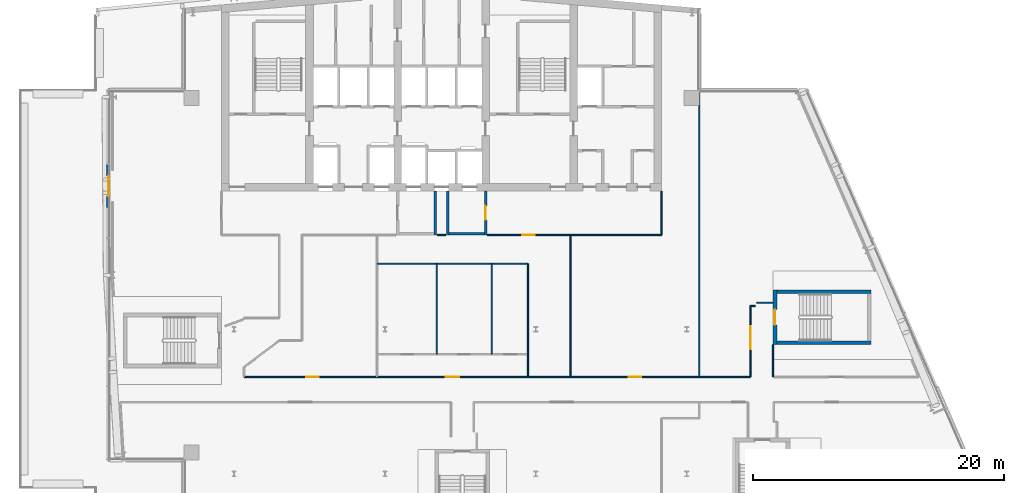
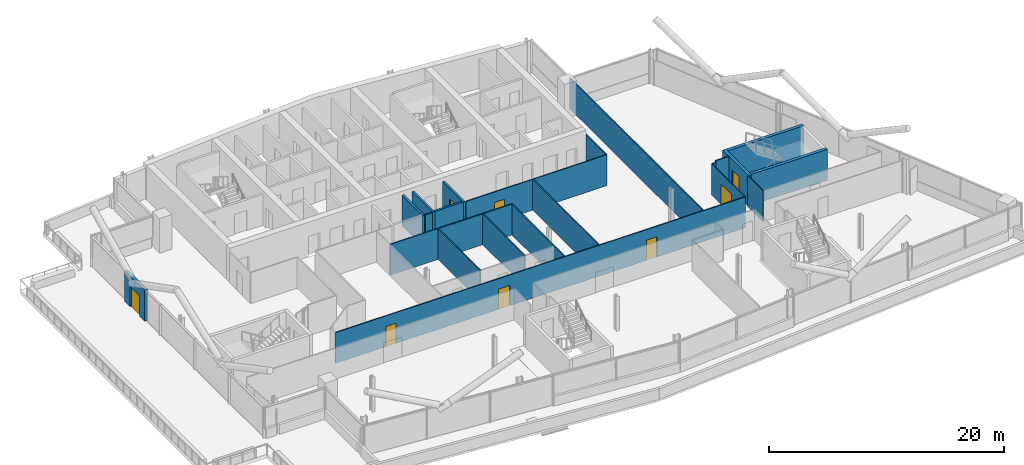
# One storey, part 15 of 27: 22 walls, 8 doors, 8 openings.
"""IFC4 building model written with IfcOpenShell, lengths in metres."""

from ifc_helpers import new_model, si_unit, direction, frame, frame_2d, origin, place, context, subcontext, project, spatial, rectangle, extrude, material, layer, layer_set, type_object, element, fill, save


model = new_model("IFC4")

# Units and contexts
model_context = context("Model", 3, precision=1e-05, world=origin(), true_north=direction((0.0, 1.0)))
body_context = subcontext(model_context, "Body", "Model", "MODEL_VIEW")
ifc_project = project(units=[si_unit("LENGTHUNIT", "METRE"), si_unit("AREAUNIT", "SQUARE_METRE"), si_unit("VOLUMEUNIT", "CUBIC_METRE"), si_unit("PLANEANGLEUNIT", "RADIAN"), si_unit("MASSUNIT", "GRAM", prefix="KILO")], contexts=[model_context])

# Site, building, storey
site_placement = place(None, origin())
site = spatial("IfcSite", under=ifc_project, at=site_placement, CompositionType="ELEMENT")
building_placement = place(site_placement, origin())
building = spatial("IfcBuilding", under=site, at=building_placement, Name="Wharfspan Tower", CompositionType="ELEMENT")
storey_placement = place(building_placement, frame((0.0, 0.0, 207.100098)))
storey = spatial("IfcBuildingStorey", under=building, at=storey_placement, Name="L51", CompositionType="ELEMENT", Elevation=207.100098)

# Wall, openings, doors
ifc_material_1 = material(Name="Gypsum board on steel studs", Category="steel")
ifc_layer_1 = layer(ifc_material_1, 0.100098)
ifc_layer_set_1 = layer_set([ifc_layer_1], Name="Gypsum board on steel studs")
wall_type_1 = type_object("IfcWallType", Name="Compartment wall 100 EI 60", PredefinedType="PARTITIONING", material=ifc_layer_set_1)
wall_1_placement = place(storey_placement, frame((24.804932, 19.195068, 0.0), z_axis=(0.0, 0.0, 1.0), x_axis=(1.0, 0.0, 0.0)))
wall_1 = element("IfcWall", 1, at=wall_1_placement, inside=storey, type_object=wall_type_1, Name="Partition L51.w014", PredefinedType="PARTITIONING", context=body_context, shape_type="SweptSolid", body=[
    extrude(rectangle(XDim=40.265137, YDim=0.100098, at=frame_2d((20.132568, 0.0))), origin(), (0.0, 0.0, 1.0), 3.199951),
])
opening_1_placement = place(wall_1_placement, frame((4.945068, 0.0, 0.0)))
opening_1 = element("IfcOpeningElement", 2, at=opening_1_placement, cuts=wall_1, Name="Opening D1-05", PredefinedType="OPENING", context=body_context, shape_type="SweptSolid", body=[
    extrude(rectangle(XDim=1.0, YDim=2.100098, at=frame_2d((0.5, 1.050049))), frame((0.0, 0.060059, 0.0), z_axis=(0.0, -1.0, 0.0), x_axis=(1.0, 0.0, 0.0)), (0.0, 0.0, 1.0), 0.120117),
])
opening_2_placement = place(wall_1_placement, frame((30.570068, 0.0, 0.0)))
opening_2 = element("IfcOpeningElement", 3, at=opening_2_placement, cuts=wall_1, Name="Opening D1-06", PredefinedType="OPENING", context=body_context, shape_type="SweptSolid", body=[
    extrude(rectangle(XDim=1.0, YDim=2.100098, at=frame_2d((0.5, 1.050049))), frame((0.0, 0.060059, 0.0), z_axis=(0.0, -1.0, 0.0), x_axis=(1.0, 0.0, 0.0)), (0.0, 0.0, 1.0), 0.120117),
])
opening_3_placement = place(wall_1_placement, frame((16.02002, 0.0, 0.0)))
opening_3 = element("IfcOpeningElement", 4, at=opening_3_placement, cuts=wall_1, Name="Opening D1-08", PredefinedType="OPENING", context=body_context, shape_type="SweptSolid", body=[
    extrude(rectangle(XDim=1.100098, YDim=2.100098, at=frame_2d((0.550049, 1.050049))), frame((0.0, 0.060059, 0.0), z_axis=(0.0, -1.0, 0.0), x_axis=(1.0, 0.0, 0.0)), (0.0, 0.0, 1.0), 0.120117),
])
ifc_material_2 = material(Name="Fire-rated timber door leaf in steel frame", Category="steel")
door_type_1 = type_object("IfcDoorType", Name="Door 1000 FD30S Left", OperationType="SINGLE_SWING_LEFT", PredefinedType="DOOR", material=ifc_material_2)
door_1_placement = place(opening_1_placement, origin())
door_1 = element("IfcDoor", 5, at=door_1_placement, inside=storey, type_object=door_type_1, Name="Door D1-05", OperationType="SINGLE_SWING_LEFT", OverallHeight=2.100098, OverallWidth=1.0, PredefinedType="DOOR", context=body_context, shape_type="SweptSolid", body=[
    extrude(rectangle(XDim=1.0, YDim=2.100098, at=frame_2d((0.5, 1.050049))), frame((0.0, 0.024902, 0.0), z_axis=(0.0, -1.0, 0.0), x_axis=(1.0, 0.0, 0.0)), (0.0, 0.0, 1.0), 0.050049),
])
fill(opening_1, door_1)
door_type_2 = type_object("IfcDoorType", Name="Door 1000 FD30S Right", OperationType="SINGLE_SWING_RIGHT", PredefinedType="DOOR", material=ifc_material_2)
door_2_placement = place(opening_2_placement, origin())
door_2 = element("IfcDoor", 6, at=door_2_placement, inside=storey, type_object=door_type_2, Name="Door D1-06", OperationType="SINGLE_SWING_RIGHT", OverallHeight=2.100098, OverallWidth=1.0, PredefinedType="DOOR", context=body_context, shape_type="SweptSolid", body=[
    extrude(rectangle(XDim=1.0, YDim=2.100098, at=frame_2d((0.5, 1.050049))), frame((0.0, 0.024902, 0.0), z_axis=(0.0, -1.0, 0.0), x_axis=(1.0, 0.0, 0.0)), (0.0, 0.0, 1.0), 0.050049),
])
fill(opening_2, door_2)
door_type_3 = type_object("IfcDoorType", Name="Door 1100 FD30S Left", OperationType="SINGLE_SWING_LEFT", PredefinedType="DOOR", material=ifc_material_2)
door_3_placement = place(opening_3_placement, origin())
door_3 = element("IfcDoor", 7, at=door_3_placement, inside=storey, type_object=door_type_3, Name="Door D1-08", OperationType="SINGLE_SWING_LEFT", OverallHeight=2.100098, OverallWidth=1.100098, PredefinedType="DOOR", context=body_context, shape_type="SweptSolid", body=[
    extrude(rectangle(XDim=1.100098, YDim=2.100098, at=frame_2d((0.550049, 1.050049))), frame((0.0, 0.024902, 0.0), z_axis=(0.0, -1.0, 0.0), x_axis=(1.0, 0.0, 0.0)), (0.0, 0.0, 1.0), 0.050049),
])
fill(opening_3, door_3)

# Walls
wall_2_placement = place(storey_placement, frame((47.375, 19.205078, 0.0), z_axis=(0.0, 0.0, 1.0), x_axis=(0.0, 1.0, 0.0)))
element("IfcWall", 8, at=wall_2_placement, inside=storey, type_object=wall_type_1, Name="Partition L51.w030", PredefinedType="PARTITIONING", context=body_context, shape_type="SweptSolid", body=[
    extrude(rectangle(XDim=8.994873, YDim=0.100098, at=frame_2d((4.497559, 0.0))), origin(), (0.0, 0.0, 1.0), 3.199951),
])
wall_3_placement = place(storey_placement, frame((50.75, 19.199951, 0.0), z_axis=(0.0, 0.0, 1.0), x_axis=(0.0, 1.0, 0.0)))
element("IfcWall", 9, at=wall_3_placement, inside=storey, type_object=wall_type_1, Name="Partition L51.w031", PredefinedType="PARTITIONING", context=body_context, shape_type="SweptSolid", body=[
    extrude(rectangle(XDim=11.300049, YDim=0.100098, at=frame_2d((5.649902, 0.0))), origin(), (0.0, 0.0, 1.0), 3.199951),
])
wall_4_placement = place(storey_placement, frame((58.0, 30.5, 0.0), z_axis=(0.0, 0.0, 1.0), x_axis=(0.0, 1.0, 0.0)))
element("IfcWall", 10, at=wall_4_placement, inside=storey, type_object=wall_type_1, Name="Partition L51.w036", PredefinedType="PARTITIONING", context=body_context, shape_type="SweptSolid", body=[
    extrude(rectangle(XDim=3.47998, YDim=0.100098, at=frame_2d((1.73999, 0.0))), origin(), (0.0, 0.0, 1.0), 3.199951),
])
wall_5_placement = place(storey_placement, frame((61.0, 19.199951, 0.0), z_axis=(0.0, 0.0, 1.0), x_axis=(0.0, 1.0, 0.0)))
element("IfcWall", 11, at=wall_5_placement, inside=storey, type_object=wall_type_1, Name="Partition L51.w040", PredefinedType="PARTITIONING", context=body_context, shape_type="SweptSolid", body=[
    extrude(rectangle(XDim=22.780029, YDim=0.100098, at=frame_2d((11.390137, 0.0))), origin(), (0.0, 0.0, 1.0), 3.199951),
])

# Wall, opening, door
wall_6_placement = place(storey_placement, frame((65.070068, 19.199951, 0.0), z_axis=(0.0, 0.0, 1.0), x_axis=(0.0, 1.0, 0.0)))
wall_6 = element("IfcWall", 12, at=wall_6_placement, inside=storey, type_object=wall_type_1, Name="Partition L51.w042", PredefinedType="PARTITIONING", context=body_context, shape_type="SweptSolid", body=[
    extrude(rectangle(XDim=5.650146, YDim=0.100098, at=frame_2d((2.825195, 0.0))), origin(), (0.0, 0.0, 1.0), 3.199951),
])
opening_4_placement = place(wall_6_placement, frame((2.21875, 0.0, 0.0)))
opening_4 = element("IfcOpeningElement", 13, at=opening_4_placement, cuts=wall_6, Name="Opening D1-12", PredefinedType="OPENING", context=body_context, shape_type="SweptSolid", body=[
    extrude(rectangle(XDim=1.800049, YDim=2.100098, at=frame_2d((0.899902, 1.050049))), frame((0.0, 0.060059, 0.0), z_axis=(0.0, -1.0, 0.0), x_axis=(1.0, 0.0, 0.0)), (0.0, 0.0, 1.0), 0.120117),
])
door_type_4 = type_object("IfcDoorType", Name="Door 1800 FD30S Double", OperationType="DOUBLE_DOOR_SINGLE_SWING", PredefinedType="DOOR", material=ifc_material_2)
door_4_placement = place(opening_4_placement, origin())
door_4 = element("IfcDoor", 14, at=door_4_placement, inside=storey, type_object=door_type_4, Name="Door D1-12", OperationType="DOUBLE_DOOR_SINGLE_SWING", OverallHeight=2.100098, OverallWidth=1.800049, PredefinedType="DOOR", context=body_context, shape_type="SweptSolid", body=[
    extrude(rectangle(XDim=1.800049, YDim=2.100098, at=frame_2d((0.899902, 1.050049))), frame((0.0, 0.024902, 0.0), z_axis=(0.0, -1.0, 0.0), x_axis=(1.0, 0.0, 0.0)), (0.0, 0.0, 1.0), 0.050049),
])
fill(opening_4, door_4)

# Walls
wall_7_placement = place(storey_placement, frame((65.070068, 24.850098, 0.0), z_axis=(0.0, 0.0, 1.0), x_axis=(1.0, 0.0, 0.0)))
element("IfcWall", 15, at=wall_7_placement, inside=storey, type_object=wall_type_1, Name="Partition L51.w043", PredefinedType="PARTITIONING", context=body_context, shape_type="SweptSolid", body=[
    extrude(rectangle(XDim=0.379883, YDim=0.100098, at=frame_2d((0.189941, 0.0))), origin(), (0.0, 0.0, 1.0), 3.199951),
])
wall_8_placement = place(storey_placement, frame((65.570068, 25.100098, 0.0), z_axis=(0.0, 0.0, 1.0), x_axis=(1.0, 0.0, 0.0)))
element("IfcWall", 16, at=wall_8_placement, inside=storey, type_object=wall_type_1, Name="Partition L51.w044", PredefinedType="PARTITIONING", context=body_context, shape_type="SweptSolid", body=[
    extrude(rectangle(XDim=1.279541, YDim=0.100098, at=frame_2d((0.639648, 0.0))), origin(), (0.0, 0.0, 1.0), 3.199951),
])
wall_9_placement = place(storey_placement, frame((66.870117, 19.199951, 0.0), z_axis=(0.0, 0.0, 1.0), x_axis=(0.0, 1.0, 0.0)))
element("IfcWall", 17, at=wall_9_placement, inside=storey, type_object=wall_type_1, Name="Partition L51.w045", PredefinedType="PARTITIONING", context=body_context, shape_type="SweptSolid", body=[
    extrude(rectangle(XDim=2.574951, YDim=0.100098, at=frame_2d((1.287598, 0.0))), origin(), (0.0, 0.0, 1.0), 3.199951),
])
wall_10_placement = place(storey_placement, frame((40.149902, 30.5, 0.0), z_axis=(0.0, 0.0, 1.0), x_axis=(1.0, 0.0, 0.0)))
element("IfcWall", 18, at=wall_10_placement, inside=storey, type_object=wall_type_1, Name="Partition L51.w019 (2)", PredefinedType="PARTITIONING", context=body_context, shape_type="SweptSolid", body=[
    extrude(rectangle(XDim=0.700195, YDim=0.100098, at=frame_2d((0.350098, 0.0))), origin(), (0.0, 0.0, 1.0), 3.199951),
])

# Wall, opening, door
wall_11_placement = place(storey_placement, frame((44.149902, 30.5, 0.0), z_axis=(0.0, 0.0, 1.0), x_axis=(1.0, 0.0, 0.0)))
wall_11 = element("IfcWall", 19, at=wall_11_placement, inside=storey, type_object=wall_type_1, Name="Partition L51.w019 (3)", PredefinedType="PARTITIONING", context=body_context, shape_type="SweptSolid", body=[
    extrude(rectangle(XDim=13.850098, YDim=0.100098, at=frame_2d((6.925049, 0.0))), origin(), (0.0, 0.0, 1.0), 3.199951),
])
opening_5_placement = place(wall_11_placement, frame((2.77002, 0.0, 0.0)))
opening_5 = element("IfcOpeningElement", 20, at=opening_5_placement, cuts=wall_11, Name="Opening D1-13", PredefinedType="OPENING", context=body_context, shape_type="SweptSolid", body=[
    extrude(rectangle(XDim=1.0, YDim=2.100098, at=frame_2d((0.5, 1.050049))), frame((0.0, 0.060059, 0.0), z_axis=(0.0, -1.0, 0.0), x_axis=(1.0, 0.0, 0.0)), (0.0, 0.0, 1.0), 0.120117),
])
door_5_placement = place(opening_5_placement, origin())
door_5 = element("IfcDoor", 21, at=door_5_placement, inside=storey, type_object=door_type_2, Name="Door D1-13", OperationType="SINGLE_SWING_RIGHT", OverallHeight=2.100098, OverallWidth=1.0, PredefinedType="DOOR", context=body_context, shape_type="SweptSolid", body=[
    extrude(rectangle(XDim=1.0, YDim=2.100098, at=frame_2d((0.5, 1.050049))), frame((0.0, 0.024902, 0.0), z_axis=(0.0, -1.0, 0.0), x_axis=(1.0, 0.0, 0.0)), (0.0, 0.0, 1.0), 0.050049),
])
fill(opening_5, door_5)

ifc_material_3 = material(Name="Concrete C40/50", Category="concrete")
ifc_layer_2 = layer(ifc_material_3, 0.300049)
ifc_layer_set_2 = layer_set([ifc_layer_2], Name="Concrete C40/50")
wall_type_2 = type_object("IfcWallType", Name="External door wall 300", PredefinedType="SOLIDWALL", material=ifc_layer_set_2)
wall_12_placement = place(storey_placement, frame((14.0, 32.679688, 0.0), z_axis=(0.0, 0.0, 1.0), x_axis=(0.0, 1.0, 0.0)))
wall_12 = element("IfcWall", 22, at=wall_12_placement, inside=storey, type_object=wall_type_2, Name="Terrace door wall T3W", PredefinedType="SOLIDWALL", context=body_context, shape_type="SweptSolid", body=[
    extrude(rectangle(XDim=3.400146, YDim=0.300049, at=frame_2d((1.700195, 0.0))), origin(), (0.0, 0.0, 1.0), 3.199951),
])
opening_6_placement = place(wall_12_placement, frame((0.899902, 0.0, 0.0)))
opening_6 = element("IfcOpeningElement", 23, at=opening_6_placement, cuts=wall_12, Name="Opening TD-L51", PredefinedType="OPENING", context=body_context, shape_type="SweptSolid", body=[
    extrude(rectangle(XDim=1.600098, YDim=2.100098, at=frame_2d((0.800049, 1.050049))), frame((0.0, 0.159912, 0.0), z_axis=(0.0, -1.0, 0.0), x_axis=(1.0, 0.0, 0.0)), (0.0, 0.0, 1.0), 0.320068),
])
ifc_material_4 = material(Name="Fire-rated glazed door leaf in steel frame", Category="steel")
door_type_5 = type_object("IfcDoorType", Name="Terrace door 1600 FD30S", OperationType="DOUBLE_DOOR_SINGLE_SWING", PredefinedType="DOOR", material=ifc_material_4)
door_6_placement = place(opening_6_placement, origin())
door_6 = element("IfcDoor", 24, at=door_6_placement, inside=storey, type_object=door_type_5, Name="Terrace door L51", OperationType="DOUBLE_DOOR_SINGLE_SWING", OverallHeight=2.100098, OverallWidth=1.600098, PredefinedType="DOOR", context=body_context, shape_type="SweptSolid", body=[
    extrude(rectangle(XDim=1.600098, YDim=2.100098, at=frame_2d((0.800049, 1.050049))), frame((0.0, 0.024902, 0.0), z_axis=(0.0, -1.0, 0.0), x_axis=(1.0, 0.0, 0.0)), (0.0, 0.0, 1.0), 0.050049),
])
fill(opening_6, door_6)

# Walls
ifc_material_5 = material(Name="Concrete C30/37", Category="concrete")
ifc_layer_3 = layer(ifc_material_5, 0.199951)
ifc_layer_set_3 = layer_set([ifc_layer_3], Name="Concrete C30/37")
wall_type_3 = type_object("IfcWallType", Name="Lobby wall 200", PredefinedType="PARTITIONING", material=ifc_layer_set_3)
for number, where, z_axis, x_axis, name in (
    (25, (40.0, 30.5, 0.0), (0.0, 0.0, 1.0), (0.0, 1.0, 0.0), "sw:L51:FLFF1E"),
    (26, (41.0, 30.5, 0.0), (0.0, 0.0, 1.0), (0.0, 1.0, 0.0), "sw:L51:FLFF2W"),
):
    element("IfcWall", number, at=place(storey_placement, frame(where, z_axis=z_axis, x_axis=x_axis)), inside=storey, type_object=wall_type_3, Name=name, PredefinedType="PARTITIONING", context=body_context, shape_type="SweptSolid", body=[
        extrude(rectangle(XDim=3.5, YDim=0.199951, at=frame_2d((1.75, 0.0))), origin(), (0.0, 0.0, 1.0), 3.199951),
    ])

# Wall, opening, door
wall_13_placement = place(storey_placement, frame((44.0, 30.5, 0.0), z_axis=(0.0, 0.0, 1.0), x_axis=(0.0, 1.0, 0.0)))
wall_13 = element("IfcWall", 27, at=wall_13_placement, inside=storey, type_object=wall_type_3, Name="sw:L51:FLFF2E", PredefinedType="PARTITIONING", context=body_context, shape_type="SweptSolid", body=[
    extrude(rectangle(XDim=3.5, YDim=0.199951, at=frame_2d((1.75, 0.0))), origin(), (0.0, 0.0, 1.0), 3.199951),
])
opening_7_placement = place(wall_13_placement, frame((1.199951, 0.0, 0.0)))
opening_7 = element("IfcOpeningElement", 28, at=opening_7_placement, cuts=wall_13, Name="Opening FL.FF2.L51", PredefinedType="OPENING", context=body_context, shape_type="SweptSolid", body=[
    extrude(rectangle(XDim=1.100098, YDim=2.100098, at=frame_2d((0.550049, 1.050049))), frame((0.0, 0.109863, 0.0), z_axis=(0.0, -1.0, 0.0), x_axis=(1.0, 0.0, 0.0)), (0.0, 0.0, 1.0), 0.219971),
])
ifc_material_6 = material(Name="Steel door leaf", Category="steel")
door_type_6 = type_object("IfcDoorType", Name="Firefighting lobby door 1100x2100", OperationType="SINGLE_SWING_LEFT", PredefinedType="DOOR", material=ifc_material_6)
door_7_placement = place(opening_7_placement, origin())
door_7 = element("IfcDoor", 29, at=door_7_placement, inside=storey, type_object=door_type_6, Name="fd:L51:FF2", OperationType="SINGLE_SWING_LEFT", OverallHeight=2.100098, OverallWidth=1.100098, PredefinedType="DOOR", context=body_context, shape_type="SweptSolid", body=[
    extrude(rectangle(XDim=1.100098, YDim=2.100098, at=frame_2d((0.550049, 1.050049))), frame((0.0, 0.024902, 0.0), z_axis=(0.0, -1.0, 0.0), x_axis=(1.0, 0.0, 0.0)), (0.0, 0.0, 1.0), 0.050049),
])
fill(opening_7, door_7)

# Walls
wall_14_placement = place(storey_placement, frame((41.100098, 30.600098, 0.0), z_axis=(0.0, 0.0, 1.0), x_axis=(1.0, 0.0, 0.0)))
element("IfcWall", 30, at=wall_14_placement, inside=storey, type_object=wall_type_3, Name="sw:L51:FLFF2F", PredefinedType="PARTITIONING", context=body_context, shape_type="SweptSolid", body=[
    extrude(rectangle(XDim=2.799805, YDim=0.199951, at=frame_2d((1.399902, 0.0))), origin(), (0.0, 0.0, 1.0), 3.199951),
])
ifc_layer_4 = layer(ifc_material_1, 0.100098)
ifc_layer_set_4 = layer_set([ifc_layer_4], Name="Gypsum board on steel studs")
wall_type_4 = type_object("IfcWallType", Name="Partition 100", PredefinedType="PARTITIONING", material=ifc_layer_set_4)
wall_15_placement = place(storey_placement, frame((35.375, 28.199951, 0.0), z_axis=(0.0, 0.0, 1.0), x_axis=(1.0, 0.0, 0.0)))
element("IfcWall", 31, at=wall_15_placement, inside=storey, type_object=wall_type_4, Name="Partition L51.w023", PredefinedType="PARTITIONING", context=body_context, shape_type="SweptSolid", body=[
    extrude(rectangle(XDim=12.0, YDim=0.100098, at=frame_2d((6.0, 0.0))), origin(), (0.0, 0.0, 1.0), 3.199951),
])
for number, where, z_axis, x_axis, name in (
    (32, (40.11499, 21.0, 0.0), (0.0, 0.0, 1.0), (0.0, 1.0, 0.0), "Partition L51.w024"),
    (33, (44.495117, 21.0, 0.0), (0.0, 0.0, 1.0), (0.0, 1.0, 0.0), "Partition L51.w029"),
):
    element("IfcWall", number, at=place(storey_placement, frame(where, z_axis=z_axis, x_axis=x_axis)), inside=storey, type_object=wall_type_4, Name=name, PredefinedType="PARTITIONING", context=body_context, shape_type="SweptSolid", body=[
        extrude(rectangle(XDim=7.199951, YDim=0.100098, at=frame_2d((3.600098, 0.0))), origin(), (0.0, 0.0, 1.0), 3.199951),
    ])

# Wall, opening, door
ifc_layer_5 = layer(ifc_material_3, 0.300049)
ifc_layer_set_5 = layer_set([ifc_layer_5], Name="Concrete C40/50")
wall_type_5 = type_object("IfcWallType", Name="Stair core wall 300", PredefinedType="SHEAR", material=ifc_layer_set_5)
wall_16_placement = place(storey_placement, frame((67.019531, 21.774902, 0.0), z_axis=(0.0, 0.0, 1.0), x_axis=(0.0, 1.0, 0.0)))
wall_16 = element("IfcWall", 34, at=wall_16_placement, inside=storey, type_object=wall_type_5, Name="ST6 stair enclosure wall L51", PredefinedType="SHEAR", context=body_context, shape_type="SweptSolid", body=[
    extrude(rectangle(XDim=4.350098, YDim=0.300049, at=frame_2d((2.175049, 0.0))), origin(), (0.0, 0.0, 1.0), 3.199951),
])
opening_8_placement = place(wall_16_placement, frame((1.574951, 0.0, 0.0)))
opening_8 = element("IfcOpeningElement", 35, at=opening_8_placement, cuts=wall_16, Name="Opening SD6.L51", PredefinedType="OPENING", context=body_context, shape_type="SweptSolid", body=[
    extrude(rectangle(XDim=1.199951, YDim=2.100098, at=frame_2d((0.600098, 1.050049))), frame((0.0, 0.159912, 0.0), z_axis=(0.0, -1.0, 0.0), x_axis=(1.0, 0.0, 0.0)), (0.0, 0.0, 1.0), 0.320068),
])
door_type_7 = type_object("IfcDoorType", Name="Stair door 1200x2100", OperationType="SINGLE_SWING_LEFT", PredefinedType="DOOR", material=ifc_material_6)
door_8_placement = place(opening_8_placement, origin())
door_8 = element("IfcDoor", 36, at=door_8_placement, inside=storey, type_object=door_type_7, Name="sd:L51:ST6z4", OperationType="SINGLE_SWING_RIGHT", OverallHeight=2.100098, OverallWidth=1.199951, PredefinedType="DOOR", context=body_context, shape_type="SweptSolid", body=[
    extrude(rectangle(XDim=1.199951, YDim=2.100098, at=frame_2d((0.600098, 1.050049))), frame((0.0, 0.024902, 0.0), z_axis=(0.0, -1.0, 0.0), x_axis=(1.0, 0.0, 0.0)), (0.0, 0.0, 1.0), 0.050049),
])
fill(opening_8, door_8)

# Walls
for number, where, z_axis, x_axis, name in (
    (37, (67.169678, 21.925049, 0.0), (0.0, 0.0, 1.0), (1.0, 0.0, 0.0), "ST6 stair enclosure wall L51"),
    (38, (67.169678, 25.975098, 0.0), (0.0, 0.0, 1.0), (1.0, 0.0, 0.0), "ST6 stair enclosure wall L51"),
):
    element("IfcWall", number, at=place(storey_placement, frame(where, z_axis=z_axis, x_axis=x_axis)), inside=storey, type_object=wall_type_5, Name=name, PredefinedType="SHEAR", context=body_context, shape_type="SweptSolid", body=[
        extrude(rectangle(XDim=7.5, YDim=0.300049, at=frame_2d((3.75, 0.0))), origin(), (0.0, 0.0, 1.0), 3.199951),
    ])

save(model, "model.ifc")
